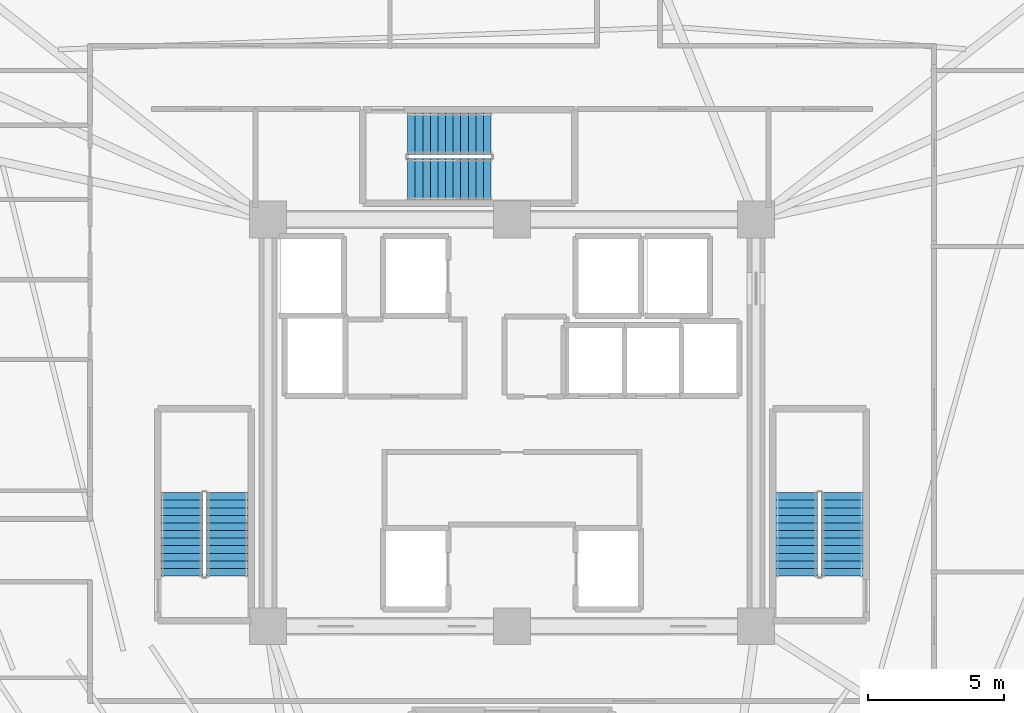
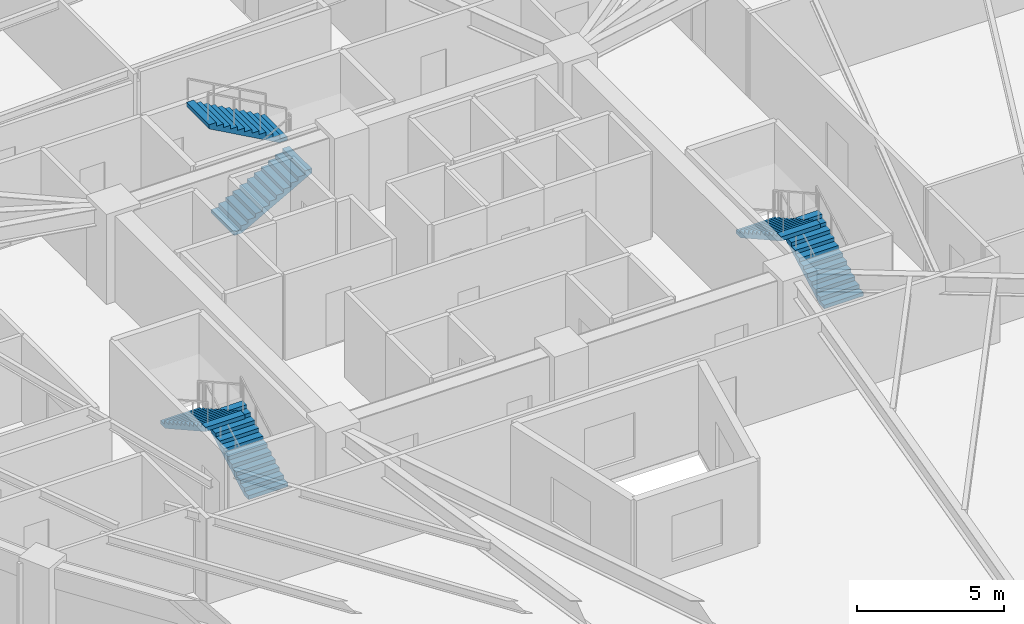
# One storey, part 7 of 8: 6 stair flights, 3 elements without a shape of their own.
"""IFC4 building model written with IfcOpenShell, lengths in metres."""

import ifcopenshell
import ifcopenshell.guid

model = None  # the IFC model being written
_history = None  # IfcOwnerHistory: only IFC2X3 demands one
_inside = {}  # id of a spatial element -> (the spatial element, [elements in it])
_under = {}  # id of a project, library or spatial element -> (it, [spatial elements below it])
_declared = {}  # id of a project -> (the project, [libraries it declares])
_typed = {}  # id of a type object -> (the type object, [elements of that type])
_made_of = {}  # id of a material, layer set ... -> (it, [elements and type objects made of it])


def new_model(schema):
    """Start an empty IFC model of exactly this schema.

    Asked for "IFC4X3", IfcOpenShell would pick the latest addendum, in which some entities
    have other attributes; the version numbers below select the first issue.
    IFC2X3 requires an IfcOwnerHistory on every rooted entity: one is made here for all.
    """
    global model, _history
    if schema == "IFC4X3":
        model = ifcopenshell.file(schema_version=(4, 3, 0, 0))
    else:
        model = ifcopenshell.file(schema=schema)
    _inside.clear()
    _under.clear()
    _declared.clear()
    _typed.clear()
    _made_of.clear()
    _history = None
    if model.schema == "IFC2X3":
        org = make("IfcOrganization", Name="unknown")
        user = make(
            "IfcPersonAndOrganization",
            ThePerson=make("IfcPerson", FamilyName="unknown"),
            TheOrganization=org,
        )
        app = make(
            "IfcApplication",
            ApplicationDeveloper=org,
            Version="unknown",
            ApplicationFullName="unknown",
            ApplicationIdentifier="unknown",
        )
        _history = make(
            "IfcOwnerHistory",
            OwningUser=user,
            OwningApplication=app,
            ChangeAction="ADDED",
            CreationDate=0,
        )
    return model


def make(cls, **values):
    """One entity of the class cls with the attributes given. An attribute that is None is left unset."""
    return model.create_entity(
        cls, **{name: value for name, value in values.items() if value is not None}
    )


def rooted(cls, **values):
    """An entity with a GlobalId (a new one), such as an element, a storey or a relation."""
    return make(cls, GlobalId=ifcopenshell.guid.new(), OwnerHistory=_history, **values)


def si_unit(unit_type, name, prefix=None):
    """IfcSIUnit, for example si_unit("LENGTHUNIT", "METRE", prefix="MILLI")."""
    return make("IfcSIUnit", UnitType=unit_type, Prefix=prefix, Name=name)


def assignment(units):
    """IfcUnitAssignment: the units of a project."""
    return None if units is None else make("IfcUnitAssignment", Units=units)


def point(xyz):
    """IfcCartesianPoint."""
    return None if xyz is None else make("IfcCartesianPoint", Coordinates=xyz)


def direction(xyz):
    """IfcDirection."""
    return None if xyz is None else make("IfcDirection", DirectionRatios=xyz)


def frame(location, z_axis=None, x_axis=None):
    """IfcAxis2Placement3D, a coordinate frame: its origin and axes. An axis left out is left unset."""
    return make(
        "IfcAxis2Placement3D",
        Location=point(location),
        Axis=direction(z_axis),
        RefDirection=direction(x_axis),
    )


def origin():
    """The frame at (0, 0, 0) with its axes left unset."""
    return frame((0.0, 0.0, 0.0))


def place(relative_to, where):
    """IfcLocalPlacement: puts the frame where relative to a parent placement (None: the world)."""
    return make(
        "IfcLocalPlacement", PlacementRelTo=relative_to, RelativePlacement=where
    )


def context(
    kind, dimensions, precision=None, world=None, true_north=None, identifier=None
):
    """IfcGeometricRepresentationContext, for example the 3D "Model" context."""
    return make(
        "IfcGeometricRepresentationContext",
        ContextIdentifier=identifier,
        ContextType=kind,
        CoordinateSpaceDimension=dimensions,
        Precision=precision,
        WorldCoordinateSystem=world,
        TrueNorth=true_north,
    )


def subcontext(parent, identifier, kind, view, scale=None):
    """IfcGeometricRepresentationSubContext, for example "Body" below "Model"."""
    return make(
        "IfcGeometricRepresentationSubContext",
        ContextIdentifier=identifier,
        ContextType=kind,
        ParentContext=parent,
        TargetScale=scale,
        TargetView=view,
    )


def project(units=None, contexts=None):
    """IfcProject with its units and contexts."""
    return rooted(
        "IfcProject",
        Name="project",
        RepresentationContexts=contexts,
        UnitsInContext=assignment(units),
    )


def spatial(cls, under=None, at=None, **own):
    """A site, building, storey or space (cls), placed at a placement, below another one or the project."""
    s = rooted(cls, ObjectPlacement=at, **own)
    if under is not None:
        _under.setdefault(under.id(), (under, []))[1].append(s)
    return s


def polyline(points):
    """IfcPolyline through the points."""
    return make("IfcPolyline", Points=[point(p) for p in points])


def outline(outer, holes=None, kind="AREA"):
    """IfcArbitraryClosedProfileDef: a profile drawn as a closed curve; with holes, ...WithVoids."""
    if holes is None:
        return make("IfcArbitraryClosedProfileDef", ProfileType=kind, OuterCurve=outer)
    return make(
        "IfcArbitraryProfileDefWithVoids",
        ProfileType=kind,
        OuterCurve=outer,
        InnerCurves=holes,
    )


def extrude(swept, where, along, depth):
    """IfcExtrudedAreaSolid: the profile swept, set in the frame where, extruded along a direction by depth."""
    return make(
        "IfcExtrudedAreaSolid",
        SweptArea=swept,
        Position=where,
        ExtrudedDirection=direction(along),
        Depth=depth,
    )


def shape(context_of_items, identifier, shape_type, items):
    """IfcShapeRepresentation: the items that make up one representation, for example the "Body"."""
    return make(
        "IfcShapeRepresentation",
        ContextOfItems=context_of_items,
        RepresentationIdentifier=identifier,
        RepresentationType=shape_type,
        Items=items,
    )


def material(Name=None, Category=None):
    """IfcMaterial."""
    return make("IfcMaterial", Name=Name, Category=Category)


def made_of(thing, what):
    """Note that an element or type object is made of a material, layer set ...; save() writes the relation."""
    if what is not None:
        _made_of.setdefault(what.id(), (what, []))[1].append(thing)
    return thing


def type_object(cls, material=None, **own):
    """A type object (cls), such as IfcWallType, which elements share."""
    return made_of(rooted(cls, **own), material)


def element(
    cls,
    number,
    at=None,
    inside=None,
    cuts=None,
    type_object=None,
    material=None,
    context=None,
    identifier="Body",
    shape_type=None,
    held_by="IfcProductDefinitionShape",
    body=None,
    shapes=None,
    **own,
):
    """One element of the class cls, such as IfcWall. Its Tag is "e" and its number.

    at: its placement. inside: the storey or other place that contains it. cuts: it is an
    opening in that element (IfcRelVoidsElement). A single representation is given by context,
    identifier, shape_type and body (its items); several are given by shapes. held_by: the class
    of the entity that holds the representations. save() writes the other relations.
    """
    e = rooted(cls, Tag="e%d" % number, ObjectPlacement=at, **own)
    if body is not None:
        shapes = [shape(context, identifier, shape_type, body)]
    if shapes is not None:
        e.Representation = make(held_by, Representations=shapes)
    if inside is not None:
        _inside.setdefault(inside.id(), (inside, []))[1].append(e)
    if cuts is not None:
        rooted(
            "IfcRelVoidsElement", RelatingBuildingElement=cuts, RelatedOpeningElement=e
        )
    if type_object is not None:
        _typed.setdefault(type_object.id(), (type_object, []))[1].append(e)
    return made_of(e, material)


def aggregate(whole, parts):
    """IfcRelAggregates: a whole, such as a stair, and the parts it consists of."""
    return rooted("IfcRelAggregates", RelatingObject=whole, RelatedObjects=parts)


def save(model, path):
    """Write the relations noted so far, then the file.

    IfcRelAggregates (storeys below a building ...), IfcRelContainedInSpatialStructure (elements
    in a storey), IfcRelDefinesByType, IfcRelAssociatesMaterial and IfcRelDeclares: one each for
    every whole, place, type object, material and project.
    """
    for whole, parts in _under.values():
        aggregate(whole, parts)
    for where, things in _inside.values():
        rooted(
            "IfcRelContainedInSpatialStructure",
            RelatedElements=things,
            RelatingStructure=where,
        )
    for kind, things in _typed.values():
        rooted("IfcRelDefinesByType", RelatedObjects=things, RelatingType=kind)
    for what, things in _made_of.values():
        rooted("IfcRelAssociatesMaterial", RelatedObjects=things, RelatingMaterial=what)
    for by, libraries in _declared.values():
        rooted("IfcRelDeclares", RelatingContext=by, RelatedDefinitions=libraries)
    model.write(path)


model = new_model("IFC4")

# Units and contexts
model_context = context("Model", 3, precision=1e-05, world=origin(), true_north=direction((0.0, 1.0)))
body_context = subcontext(model_context, "Body", "Model", "MODEL_VIEW")
ifc_project = project(units=[si_unit("LENGTHUNIT", "METRE"), si_unit("AREAUNIT", "SQUARE_METRE"), si_unit("VOLUMEUNIT", "CUBIC_METRE"), si_unit("PLANEANGLEUNIT", "RADIAN"), si_unit("MASSUNIT", "GRAM", prefix="KILO")], contexts=[model_context])

# Site, building, storey
site_placement = place(None, origin())
site = spatial("IfcSite", under=ifc_project, at=site_placement, CompositionType="ELEMENT")
building_placement = place(site_placement, origin())
building = spatial("IfcBuilding", under=site, at=building_placement, Name="Liaohun Quay Tower", CompositionType="ELEMENT")
storey_placement = place(building_placement, frame((0.0, 0.0, 240.0)))
storey = spatial("IfcBuildingStorey", under=building, at=storey_placement, Name="L62", CompositionType="ELEMENT", Elevation=240.0)

# Stair, stair flights
ifc_material = material(Name="Concrete C45", Category="concrete")
stair_type = type_object("IfcStairType", Name="STR-CORE-OFF", PredefinedType="HALF_TURN_STAIR", material=ifc_material)
stair_1_placement = place(storey_placement, origin())
stair_1 = element("IfcStair", 1, at=stair_1_placement, inside=storey, type_object=stair_type, Name="L62 Smokeproof Core Exit Stair ST-1", PredefinedType="HALF_TURN_STAIR")
stair_flight_type = type_object("IfcStairFlightType", Name="FLT-CORE-155", PredefinedType="STRAIGHT", material=ifc_material)
stair_flight_1_placement = place(storey_placement, frame((49.5048828125, 48.35009765625, 0.0), z_axis=(0.0, 0.0, 1.0), x_axis=(0.0, 1.0, 0.0)))
stair_flight_1 = element("IfcStairFlight", 2, at=stair_flight_1_placement, type_object=stair_flight_type, Name="ST-1 flight 1", NumberOfRisers=12, NumberOfTreads=11, PredefinedType="STRAIGHT", RiserHeight=0.15625, TreadLength=0.28, context=body_context, shape_type="SweptSolid", body=[
    extrude(outline(polyline([(0.0, 0.0), (0.0, 0.15625), (0.280029296875, 0.15625), (0.280029296875, 0.3125), (0.56005859375, 0.3125), (0.56005859375, 0.46875), (0.840087890625, 0.46875), (0.840087890625, 0.625), (1.1201171875, 0.625), (1.1201171875, 0.78125), (1.39990234375, 0.78125), (1.39990234375, 0.9375), (1.679931640625, 0.9375), (1.679931640625, 1.09375), (1.9599609375, 1.09375), (1.9599609375, 1.25), (2.239990234375, 1.25), (2.239990234375, 1.40625), (2.52001953125, 1.40625), (2.52001953125, 1.5625), (2.800048828125, 1.5625), (2.800048828125, 1.71875), (3.080078125, 1.71875), (3.080078125, 1.875), (3.080078125, 1.547119140625), (0.3076171875, 0.0), (0.0, 0.0)])), frame((0.0, 0.77490234375, 0.0), z_axis=(0.0, -1.0, 0.0), x_axis=(1.0, 0.0, 0.0)), (0.0, 0.0, 1.0), 1.550048828125),
])
stair_flight_2_placement = place(storey_placement, frame((47.81494140625, 51.429931640625, 1.875), z_axis=(0.0, 0.0, 1.0), x_axis=(0.0, -1.0, 0.0)))
stair_flight_2 = element("IfcStairFlight", 3, at=stair_flight_2_placement, type_object=stair_flight_type, Name="ST-1 flight 2", NumberOfRisers=12, NumberOfTreads=11, PredefinedType="STRAIGHT", RiserHeight=0.15625, TreadLength=0.28, context=body_context, shape_type="SweptSolid", body=[
    extrude(outline(polyline([(0.0, 0.0), (0.0, 0.15625), (0.280029296875, 0.15625), (0.280029296875, 0.3125), (0.56005859375, 0.3125), (0.56005859375, 0.46875), (0.840087890625, 0.46875), (0.840087890625, 0.625), (1.1201171875, 0.625), (1.1201171875, 0.78125), (1.39990234375, 0.78125), (1.39990234375, 0.9375), (1.679931640625, 0.9375), (1.679931640625, 1.09375), (1.9599609375, 1.09375), (1.9599609375, 1.25), (2.239990234375, 1.25), (2.239990234375, 1.40625), (2.52001953125, 1.40625), (2.52001953125, 1.5625), (2.800048828125, 1.5625), (2.800048828125, 1.71875), (3.080078125, 1.71875), (3.080078125, 1.875), (3.080078125, 1.547119140625), (0.3076171875, 0.0), (0.0, 0.0)])), frame((0.0, 0.77490234375, 0.0), z_axis=(0.0, -1.0, 0.0), x_axis=(1.0, 0.0, 0.0)), (0.0, 0.0, 1.0), 1.550048828125),
])
aggregate(stair_1, [stair_flight_1, stair_flight_2])

stair_2_placement = place(storey_placement, origin())
stair_2 = element("IfcStair", 4, at=stair_2_placement, inside=storey, type_object=stair_type, Name="L62 Smokeproof Core Exit Stair ST-2", PredefinedType="HALF_TURN_STAIR")
stair_flight_3_placement = place(storey_placement, frame((72.18505859375, 48.35009765625, 0.0), z_axis=(0.0, 0.0, 1.0), x_axis=(0.0, 1.0, 0.0)))
stair_flight_3 = element("IfcStairFlight", 5, at=stair_flight_3_placement, type_object=stair_flight_type, Name="ST-2 flight 1", NumberOfRisers=12, NumberOfTreads=11, PredefinedType="STRAIGHT", RiserHeight=0.15625, TreadLength=0.28, context=body_context, shape_type="SweptSolid", body=[
    extrude(outline(polyline([(0.0, 0.0), (0.0, 0.15625), (0.280029296875, 0.15625), (0.280029296875, 0.3125), (0.56005859375, 0.3125), (0.56005859375, 0.46875), (0.840087890625, 0.46875), (0.840087890625, 0.625), (1.1201171875, 0.625), (1.1201171875, 0.78125), (1.39990234375, 0.78125), (1.39990234375, 0.9375), (1.679931640625, 0.9375), (1.679931640625, 1.09375), (1.9599609375, 1.09375), (1.9599609375, 1.25), (2.239990234375, 1.25), (2.239990234375, 1.40625), (2.52001953125, 1.40625), (2.52001953125, 1.5625), (2.800048828125, 1.5625), (2.800048828125, 1.71875), (3.080078125, 1.71875), (3.080078125, 1.875), (3.080078125, 1.547119140625), (0.3076171875, 0.0), (0.0, 0.0)])), frame((0.0, 0.77490234375, 0.0), z_axis=(0.0, -1.0, 0.0), x_axis=(1.0, 0.0, 0.0)), (0.0, 0.0, 1.0), 1.550048828125),
])
stair_flight_4_placement = place(storey_placement, frame((70.4951171875, 51.429931640625, 1.875), z_axis=(0.0, 0.0, 1.0), x_axis=(0.0, -1.0, 0.0)))
stair_flight_4 = element("IfcStairFlight", 6, at=stair_flight_4_placement, type_object=stair_flight_type, Name="ST-2 flight 2", NumberOfRisers=12, NumberOfTreads=11, PredefinedType="STRAIGHT", RiserHeight=0.15625, TreadLength=0.28, context=body_context, shape_type="SweptSolid", body=[
    extrude(outline(polyline([(0.0, 0.0), (0.0, 0.15625), (0.280029296875, 0.15625), (0.280029296875, 0.3125), (0.56005859375, 0.3125), (0.56005859375, 0.46875), (0.840087890625, 0.46875), (0.840087890625, 0.625), (1.1201171875, 0.625), (1.1201171875, 0.78125), (1.39990234375, 0.78125), (1.39990234375, 0.9375), (1.679931640625, 0.9375), (1.679931640625, 1.09375), (1.9599609375, 1.09375), (1.9599609375, 1.25), (2.239990234375, 1.25), (2.239990234375, 1.40625), (2.52001953125, 1.40625), (2.52001953125, 1.5625), (2.800048828125, 1.5625), (2.800048828125, 1.71875), (3.080078125, 1.71875), (3.080078125, 1.875), (3.080078125, 1.547119140625), (0.3076171875, 0.0), (0.0, 0.0)])), frame((0.0, 0.77490234375, 0.0), z_axis=(0.0, -1.0, 0.0), x_axis=(1.0, 0.0, 0.0)), (0.0, 0.0, 1.0), 1.550048828125),
])
aggregate(stair_2, [stair_flight_3, stair_flight_4])

stair_3_placement = place(storey_placement, origin())
stair_3 = element("IfcStair", 7, at=stair_3_placement, inside=storey, type_object=stair_type, Name="L62 Smokeproof Core Exit Stair ST-3", PredefinedType="HALF_TURN_STAIR")
stair_flight_5_placement = place(storey_placement, frame((56.14990234375, 62.97509765625, 0.0), z_axis=(0.0, 0.0, 1.0), x_axis=(1.0, 0.0, 0.0)))
stair_flight_5 = element("IfcStairFlight", 8, at=stair_flight_5_placement, type_object=stair_flight_type, Name="ST-3 flight 1", NumberOfRisers=12, NumberOfTreads=11, PredefinedType="STRAIGHT", RiserHeight=0.15625, TreadLength=0.28, context=body_context, shape_type="SweptSolid", body=[
    extrude(outline(polyline([(0.0, 0.0), (0.0, 0.15625), (0.280029296875, 0.15625), (0.280029296875, 0.3125), (0.56005859375, 0.3125), (0.56005859375, 0.46875), (0.840087890625, 0.46875), (0.840087890625, 0.625), (1.1201171875, 0.625), (1.1201171875, 0.78125), (1.39990234375, 0.78125), (1.39990234375, 0.9375), (1.679931640625, 0.9375), (1.679931640625, 1.09375), (1.9599609375, 1.09375), (1.9599609375, 1.25), (2.239990234375, 1.25), (2.239990234375, 1.40625), (2.52001953125, 1.40625), (2.52001953125, 1.5625), (2.800048828125, 1.5625), (2.800048828125, 1.71875), (3.080078125, 1.71875), (3.080078125, 1.875), (3.080078125, 1.547119140625), (0.3076171875, 0.0), (0.0, 0.0)])), frame((0.0, 0.77490234375, 0.0), z_axis=(0.0, -1.0, 0.0), x_axis=(1.0, 0.0, 0.0)), (0.0, 0.0, 1.0), 1.550048828125),
])
stair_flight_6_placement = place(storey_placement, frame((59.22998046875, 64.6650390625, 1.875), z_axis=(0.0, 0.0, 1.0), x_axis=(-1.0, 0.0, 0.0)))
stair_flight_6 = element("IfcStairFlight", 9, at=stair_flight_6_placement, type_object=stair_flight_type, Name="ST-3 flight 2", NumberOfRisers=12, NumberOfTreads=11, PredefinedType="STRAIGHT", RiserHeight=0.15625, TreadLength=0.28, context=body_context, shape_type="SweptSolid", body=[
    extrude(outline(polyline([(0.0, 0.0), (0.0, 0.15625), (0.280029296875, 0.15625), (0.280029296875, 0.3125), (0.56005859375, 0.3125), (0.56005859375, 0.46875), (0.840087890625, 0.46875), (0.840087890625, 0.625), (1.1201171875, 0.625), (1.1201171875, 0.78125), (1.39990234375, 0.78125), (1.39990234375, 0.9375), (1.679931640625, 0.9375), (1.679931640625, 1.09375), (1.9599609375, 1.09375), (1.9599609375, 1.25), (2.239990234375, 1.25), (2.239990234375, 1.40625), (2.52001953125, 1.40625), (2.52001953125, 1.5625), (2.800048828125, 1.5625), (2.800048828125, 1.71875), (3.080078125, 1.71875), (3.080078125, 1.875), (3.080078125, 1.547119140625), (0.3076171875, 0.0), (0.0, 0.0)])), frame((0.0, 0.77490234375, 0.0), z_axis=(0.0, -1.0, 0.0), x_axis=(1.0, 0.0, 0.0)), (0.0, 0.0, 1.0), 1.550048828125),
])
aggregate(stair_3, [stair_flight_5, stair_flight_6])

save(model, "model.ifc")
